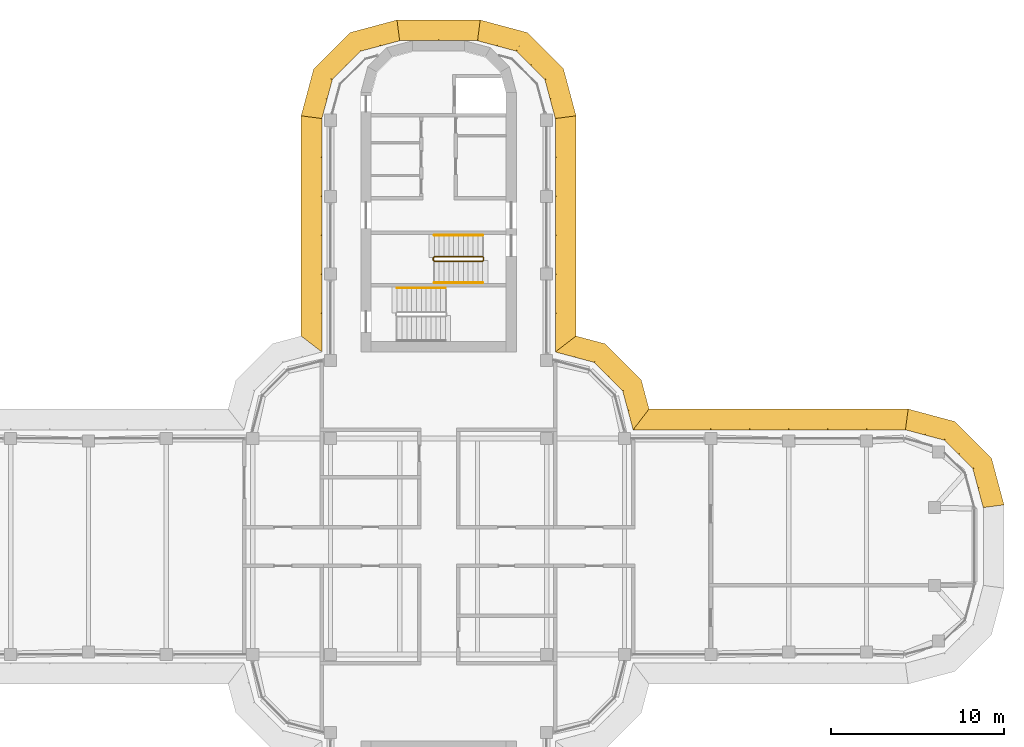
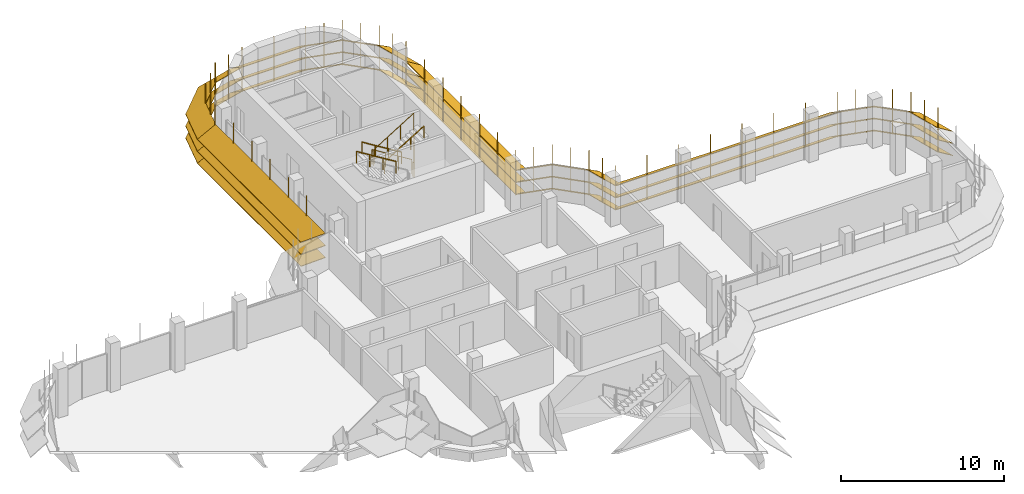
# One storey, part 18 of 19: 8 shading devices, 4 railings.
"""IFC4 building model written with IfcOpenShell, lengths in metres."""

import ifcopenshell
import ifcopenshell.guid

model = None  # the IFC model being written
_history = None  # IfcOwnerHistory: only IFC2X3 demands one
_inside = {}  # id of a spatial element -> (the spatial element, [elements in it])
_under = {}  # id of a project, library or spatial element -> (it, [spatial elements below it])
_declared = {}  # id of a project -> (the project, [libraries it declares])
_typed = {}  # id of a type object -> (the type object, [elements of that type])
_made_of = {}  # id of a material, layer set ... -> (it, [elements and type objects made of it])


def new_model(schema):
    """Start an empty IFC model of exactly this schema.

    Asked for "IFC4X3", IfcOpenShell would pick the latest addendum, in which some entities
    have other attributes; the version numbers below select the first issue.
    IFC2X3 requires an IfcOwnerHistory on every rooted entity: one is made here for all.
    """
    global model, _history
    if schema == "IFC4X3":
        model = ifcopenshell.file(schema_version=(4, 3, 0, 0))
    else:
        model = ifcopenshell.file(schema=schema)
    _inside.clear()
    _under.clear()
    _declared.clear()
    _typed.clear()
    _made_of.clear()
    _history = None
    if model.schema == "IFC2X3":
        org = make("IfcOrganization", Name="unknown")
        user = make(
            "IfcPersonAndOrganization",
            ThePerson=make("IfcPerson", FamilyName="unknown"),
            TheOrganization=org,
        )
        app = make(
            "IfcApplication",
            ApplicationDeveloper=org,
            Version="unknown",
            ApplicationFullName="unknown",
            ApplicationIdentifier="unknown",
        )
        _history = make(
            "IfcOwnerHistory",
            OwningUser=user,
            OwningApplication=app,
            ChangeAction="ADDED",
            CreationDate=0,
        )
    return model


def make(cls, **values):
    """One entity of the class cls with the attributes given. An attribute that is None is left unset."""
    return model.create_entity(
        cls, **{name: value for name, value in values.items() if value is not None}
    )


def rooted(cls, **values):
    """An entity with a GlobalId (a new one), such as an element, a storey or a relation."""
    return make(cls, GlobalId=ifcopenshell.guid.new(), OwnerHistory=_history, **values)


def si_unit(unit_type, name, prefix=None):
    """IfcSIUnit, for example si_unit("LENGTHUNIT", "METRE", prefix="MILLI")."""
    return make("IfcSIUnit", UnitType=unit_type, Prefix=prefix, Name=name)


def assignment(units):
    """IfcUnitAssignment: the units of a project."""
    return None if units is None else make("IfcUnitAssignment", Units=units)


def point(xyz):
    """IfcCartesianPoint."""
    return None if xyz is None else make("IfcCartesianPoint", Coordinates=xyz)


def direction(xyz):
    """IfcDirection."""
    return None if xyz is None else make("IfcDirection", DirectionRatios=xyz)


def frame(location, z_axis=None, x_axis=None):
    """IfcAxis2Placement3D, a coordinate frame: its origin and axes. An axis left out is left unset."""
    return make(
        "IfcAxis2Placement3D",
        Location=point(location),
        Axis=direction(z_axis),
        RefDirection=direction(x_axis),
    )


def frame_2d(location, x_axis=None):
    """IfcAxis2Placement2D, a coordinate frame in the plane: its origin and x axis."""
    return make(
        "IfcAxis2Placement2D", Location=point(location), RefDirection=direction(x_axis)
    )


def origin():
    """The frame at (0, 0, 0) with its axes left unset."""
    return frame((0.0, 0.0, 0.0))


def origin_2d():
    """The frame at (0, 0) in the plane with its x axis left unset."""
    return frame_2d((0.0, 0.0))


def place(relative_to, where):
    """IfcLocalPlacement: puts the frame where relative to a parent placement (None: the world)."""
    return make(
        "IfcLocalPlacement", PlacementRelTo=relative_to, RelativePlacement=where
    )


def context(
    kind, dimensions, precision=None, world=None, true_north=None, identifier=None
):
    """IfcGeometricRepresentationContext, for example the 3D "Model" context."""
    return make(
        "IfcGeometricRepresentationContext",
        ContextIdentifier=identifier,
        ContextType=kind,
        CoordinateSpaceDimension=dimensions,
        Precision=precision,
        WorldCoordinateSystem=world,
        TrueNorth=true_north,
    )


def subcontext(parent, identifier, kind, view, scale=None):
    """IfcGeometricRepresentationSubContext, for example "Body" below "Model"."""
    return make(
        "IfcGeometricRepresentationSubContext",
        ContextIdentifier=identifier,
        ContextType=kind,
        ParentContext=parent,
        TargetScale=scale,
        TargetView=view,
    )


def project(units=None, contexts=None):
    """IfcProject with its units and contexts."""
    return rooted(
        "IfcProject",
        Name="project",
        RepresentationContexts=contexts,
        UnitsInContext=assignment(units),
    )


def spatial(cls, under=None, at=None, **own):
    """A site, building, storey or space (cls), placed at a placement, below another one or the project."""
    s = rooted(cls, ObjectPlacement=at, **own)
    if under is not None:
        _under.setdefault(under.id(), (under, []))[1].append(s)
    return s


def polyline(points):
    """IfcPolyline through the points."""
    return make("IfcPolyline", Points=[point(p) for p in points])


def profile(cls, at=None, kind="AREA", **sizes):
    """A parametric profile (cls). Its sizes go by their IFC names, for example OverallWidth=200.0."""
    return make(cls, ProfileType=kind, Position=at, **sizes)


def circle(**sizes):
    """IfcCircleProfileDef."""
    return profile("IfcCircleProfileDef", **sizes)


def outline(outer, holes=None, kind="AREA"):
    """IfcArbitraryClosedProfileDef: a profile drawn as a closed curve; with holes, ...WithVoids."""
    if holes is None:
        return make("IfcArbitraryClosedProfileDef", ProfileType=kind, OuterCurve=outer)
    return make(
        "IfcArbitraryProfileDefWithVoids",
        ProfileType=kind,
        OuterCurve=outer,
        InnerCurves=holes,
    )


def extrude(swept, where, along, depth):
    """IfcExtrudedAreaSolid: the profile swept, set in the frame where, extruded along a direction by depth."""
    return make(
        "IfcExtrudedAreaSolid",
        SweptArea=swept,
        Position=where,
        ExtrudedDirection=direction(along),
        Depth=depth,
    )


def faces_of(points, faces, orient=None, outer=None):
    """IfcFace entities. A face is a list of loops; a loop is a list of indices into points, from 0.

    orient and outer hold one flag for each loop. By default every Orientation is true, the
    first loop of a face is its IfcFaceOuterBound and the others are IfcFaceBound.
    """
    made = []
    for i, loops in enumerate(faces):
        bounds = []
        for j, loop in enumerate(loops):
            is_outer = j == 0 if outer is None else outer[i][j]
            bounds.append(
                make(
                    "IfcFaceOuterBound" if is_outer else "IfcFaceBound",
                    Bound=make("IfcPolyLoop", Polygon=[points[k] for k in loop]),
                    Orientation=True if orient is None else orient[i][j],
                )
            )
        made.append(make("IfcFace", Bounds=bounds))
    return made


def faceted_brep(points, faces, orient=None, outer=None, voids=None):
    """IfcFacetedBrep: a solid bounded by flat faces; with voids (closed shells), ...WithVoids."""
    shared = [point(p) for p in points]
    hull = make("IfcClosedShell", CfsFaces=faces_of(shared, faces, orient, outer))
    if voids is None:
        return make("IfcFacetedBrep", Outer=hull)
    return make(
        "IfcFacetedBrepWithVoids",
        Outer=hull,
        Voids=[
            make(cls, CfsFaces=faces_of(shared, fs, o, b)) for cls, fs, o, b in voids
        ],
    )


def shape(context_of_items, identifier, shape_type, items):
    """IfcShapeRepresentation: the items that make up one representation, for example the "Body"."""
    return make(
        "IfcShapeRepresentation",
        ContextOfItems=context_of_items,
        RepresentationIdentifier=identifier,
        RepresentationType=shape_type,
        Items=items,
    )


def source(mapping_origin, context_of_items, identifier, shape_type, items):
    """IfcRepresentationMap: a shape defined once, which mapped items show again and again."""
    return make(
        "IfcRepresentationMap",
        MappingOrigin=mapping_origin,
        MappedRepresentation=shape(context_of_items, identifier, shape_type, items),
    )


def transform(
    local_origin,
    x_axis=None,
    y_axis=None,
    z_axis=None,
    scale=None,
    scale2=None,
    scale3=None,
    uniform=True,
):
    """IfcCartesianTransformationOperator3D, or its non-uniform kind. x_axis, y_axis, z_axis: its Axis1, 2, 3."""
    if uniform:
        return make(
            "IfcCartesianTransformationOperator3D",
            Axis1=direction(x_axis),
            Axis2=direction(y_axis),
            LocalOrigin=point(local_origin),
            Scale=scale,
            Axis3=direction(z_axis),
        )
    return make(
        "IfcCartesianTransformationOperator3DnonUniform",
        Axis1=direction(x_axis),
        Axis2=direction(y_axis),
        LocalOrigin=point(local_origin),
        Scale=scale,
        Axis3=direction(z_axis),
        Scale2=scale2,
        Scale3=scale3,
    )


def mapped(mapping_source, mapping_target):
    """IfcMappedItem: shows the shape of a source again, moved by a transform."""
    return make(
        "IfcMappedItem", MappingSource=mapping_source, MappingTarget=mapping_target
    )


def material(Name=None, Category=None):
    """IfcMaterial."""
    return make("IfcMaterial", Name=Name, Category=Category)


def made_of(thing, what):
    """Note that an element or type object is made of a material, layer set ...; save() writes the relation."""
    if what is not None:
        _made_of.setdefault(what.id(), (what, []))[1].append(thing)
    return thing


def type_object(cls, material=None, **own):
    """A type object (cls), such as IfcWallType, which elements share."""
    return made_of(rooted(cls, **own), material)


def element(
    cls,
    number,
    at=None,
    inside=None,
    cuts=None,
    type_object=None,
    material=None,
    context=None,
    identifier="Body",
    shape_type=None,
    held_by="IfcProductDefinitionShape",
    body=None,
    shapes=None,
    **own,
):
    """One element of the class cls, such as IfcWall. Its Tag is "e" and its number.

    at: its placement. inside: the storey or other place that contains it. cuts: it is an
    opening in that element (IfcRelVoidsElement). A single representation is given by context,
    identifier, shape_type and body (its items); several are given by shapes. held_by: the class
    of the entity that holds the representations. save() writes the other relations.
    """
    e = rooted(cls, Tag="e%d" % number, ObjectPlacement=at, **own)
    if body is not None:
        shapes = [shape(context, identifier, shape_type, body)]
    if shapes is not None:
        e.Representation = make(held_by, Representations=shapes)
    if inside is not None:
        _inside.setdefault(inside.id(), (inside, []))[1].append(e)
    if cuts is not None:
        rooted(
            "IfcRelVoidsElement", RelatingBuildingElement=cuts, RelatedOpeningElement=e
        )
    if type_object is not None:
        _typed.setdefault(type_object.id(), (type_object, []))[1].append(e)
    return made_of(e, material)


def aggregate(whole, parts):
    """IfcRelAggregates: a whole, such as a stair, and the parts it consists of."""
    return rooted("IfcRelAggregates", RelatingObject=whole, RelatedObjects=parts)


def save(model, path):
    """Write the relations noted so far, then the file.

    IfcRelAggregates (storeys below a building ...), IfcRelContainedInSpatialStructure (elements
    in a storey), IfcRelDefinesByType, IfcRelAssociatesMaterial and IfcRelDeclares: one each for
    every whole, place, type object, material and project.
    """
    for whole, parts in _under.values():
        aggregate(whole, parts)
    for where, things in _inside.values():
        rooted(
            "IfcRelContainedInSpatialStructure",
            RelatedElements=things,
            RelatingStructure=where,
        )
    for kind, things in _typed.values():
        rooted("IfcRelDefinesByType", RelatedObjects=things, RelatingType=kind)
    for what, things in _made_of.values():
        rooted("IfcRelAssociatesMaterial", RelatedObjects=things, RelatingMaterial=what)
    for by, libraries in _declared.values():
        rooted("IfcRelDeclares", RelatingContext=by, RelatedDefinitions=libraries)
    model.write(path)


model = new_model("IFC4")

# Units and contexts
model_context = context("Model", 3, precision=1e-05, world=origin(), true_north=direction((0.0, 1.0)))
body_context = subcontext(model_context, "Body", "Model", "MODEL_VIEW")
ifc_project = project(units=[si_unit("LENGTHUNIT", "METRE"), si_unit("AREAUNIT", "SQUARE_METRE"), si_unit("VOLUMEUNIT", "CUBIC_METRE"), si_unit("PLANEANGLEUNIT", "RADIAN"), si_unit("MASSUNIT", "GRAM", prefix="KILO")], contexts=[model_context])

# Site, building, storey
site_placement = place(None, origin())
site = spatial("IfcSite", under=ifc_project, at=site_placement, CompositionType="ELEMENT")
building_placement = place(site_placement, origin())
building = spatial("IfcBuilding", under=site, at=building_placement, Name="Zarbagh Exchange Tower", CompositionType="ELEMENT")
storey_placement = place(building_placement, frame((0.0, 0.0, 222.0)))
storey = spatial("IfcBuildingStorey", under=building, at=storey_placement, Name="L54", CompositionType="ELEMENT", Elevation=222.0)

# Railings
ifc_material_1 = material(Name="Stainless steel", Category="steel")
railing_type_1 = type_object("IfcRailingType", Name="Stair guard 1100 mm", PredefinedType="GUARDRAIL", material=ifc_material_1)
railing_1_placement = place(storey_placement, frame((2.550048828125, 16.75, 0.172607421875)))
element("IfcRailing", 1, at=railing_1_placement, inside=storey, type_object=railing_type_1, Name="ST1 stair guard 1", PredefinedType="GUARDRAIL", context=body_context, shape_type="SweptSolid", body=[
    extrude(circle(Radius=0.02392578125, at=origin_2d()), frame((0.0, 0.0, 1.076171875), z_axis=(-0.851089632645, 0.0, 0.525020415988), x_axis=(0.0, -1.0, 0.0)), (0.0, 0.0, 1.0), 3.2900390625),
    extrude(circle(Radius=0.02392578125, at=origin_2d()), frame((-2.800048828125, 0.0, 2.80322265625), z_axis=(-0.707106781187, -0.707106781187, 0.0), x_axis=(0.707106781187, -0.707106781187, 0.0)), (0.0, 0.0, 1.0), 0.07080078125),
    extrude(circle(Radius=0.02392578125, at=origin_2d()), frame((-2.85009765625, -0.050048828125, 2.80322265625), z_axis=(0.0, -1.0, 0.0), x_axis=(1.0, 0.0, 0.0)), (0.0, 0.0, 1.0), 0.14990234375),
    extrude(circle(Radius=0.02392578125, at=origin_2d()), frame((-2.85009765625, -0.199951171875, 2.80322265625), z_axis=(0.267953482034, -0.267953482034, 0.925419830635), x_axis=(0.707106781187, 0.707106781187, 0.0)), (0.0, 0.0, 1.0), 0.186767578125),
    extrude(circle(Radius=0.02392578125, at=origin_2d()), frame((-2.800048828125, -0.25, 2.97607421875), z_axis=(0.851089632645, 0.0, 0.525020415988), x_axis=(0.0, 1.0, 0.0)), (0.0, 0.0, 1.0), 3.2900390625),
    extrude(circle(Radius=0.02392578125, at=origin_2d()), frame((0.0, -0.25, 4.70361328125), z_axis=(0.013168290981, 0.013168290981, -0.999826581076), x_axis=(-0.707106781187, 0.707106781187, 0.0)), (0.0, 0.0, 1.0), 3.80078125),
    extrude(circle(Radius=0.02392578125, at=origin_2d()), frame((0.050048828125, -0.199951171875, 0.9033203125), z_axis=(0.0, 1.0, 0.0), x_axis=(-1.0, 0.0, 0.0)), (0.0, 0.0, 1.0), 0.14990234375),
    extrude(circle(Radius=0.02099609375, at=origin_2d()), origin(), (0.0, 0.0, 1.0), 1.052001953125),
    extrude(circle(Radius=0.02099609375, at=origin_2d()), frame((-0.933349609375, 0.0, 0.57568359375)), (0.0, 0.0, 1.0), 1.052001953125),
    extrude(circle(Radius=0.02099609375, at=origin_2d()), frame((-1.86669921875, 0.0, 1.151611328125)), (0.0, 0.0, 1.0), 1.052001953125),
    extrude(circle(Radius=0.02099609375, at=origin_2d()), frame((-2.800048828125, 0.0, 1.727294921875)), (0.0, 0.0, 1.0), 1.052001953125),
    extrude(circle(Radius=0.02099609375, at=origin_2d()), frame((-2.85009765625, -0.050048828125, 1.727294921875)), (0.0, 0.0, 1.0), 1.052001953125),
    extrude(circle(Radius=0.02099609375, at=origin_2d()), frame((-2.85009765625, -0.199951171875, 1.727294921875)), (0.0, 0.0, 1.0), 1.052001953125),
    extrude(circle(Radius=0.02099609375, at=origin_2d()), frame((-2.800048828125, -0.25, 1.900146484375)), (0.0, 0.0, 1.0), 1.052001953125),
    extrude(circle(Radius=0.02099609375, at=origin_2d()), frame((-1.86669921875, -0.25, 2.475830078125)), (0.0, 0.0, 1.0), 1.052001953125),
    extrude(circle(Radius=0.02099609375, at=origin_2d()), frame((-0.933349609375, -0.25, 3.0517578125)), (0.0, 0.0, 1.0), 1.052001953125),
    extrude(circle(Radius=0.02099609375, at=origin_2d()), frame((0.0, -0.25, 3.62744140625)), (0.0, 0.0, 1.0), 1.052001953125),
    extrude(circle(Radius=0.02099609375, at=origin_2d()), frame((0.012451171875, -0.237548828125, 2.677490234375)), (0.0, 0.0, 1.0), 1.052001953125),
    extrude(circle(Radius=0.02099609375, at=origin_2d()), frame((0.02490234375, -0.22509765625, 1.7275390625)), (0.0, 0.0, 1.0), 1.052001953125),
    extrude(circle(Radius=0.02099609375, at=origin_2d()), frame((0.03759765625, -0.21240234375, 0.77734375)), (0.0, 0.0, 1.0), 1.052001953125),
    extrude(circle(Radius=0.02099609375, at=origin_2d()), frame((0.050048828125, -0.199951171875, -0.172607421875)), (0.0, 0.0, 1.0), 1.052001953125),
    extrude(circle(Radius=0.02099609375, at=origin_2d()), frame((0.050048828125, -0.050048828125, -0.172607421875)), (0.0, 0.0, 1.0), 1.052001953125),
])
railing_type_2 = type_object("IfcRailingType", Name="Stair handrail 900 mm", PredefinedType="HANDRAIL", material=ifc_material_1)
railing_2_placement = place(storey_placement, frame((2.550048828125, 18.0, 0.172607421875)))
element("IfcRailing", 2, at=railing_2_placement, inside=storey, type_object=railing_type_2, Name="ST1 stair handrail 1", PredefinedType="HANDRAIL", context=body_context, shape_type="SweptSolid", body=[
    extrude(circle(Radius=0.02392578125, at=origin_2d()), frame((0.0, 0.0, 0.8759765625), z_axis=(-0.851089632645, 0.0, 0.525020415988), x_axis=(0.0, -1.0, 0.0)), (0.0, 0.0, 1.0), 3.2900390625),
    extrude(circle(Radius=0.02099609375, at=origin_2d()), origin(), (0.0, 0.0, 1.0), 0.851806640625),
    extrude(circle(Radius=0.02099609375, at=origin_2d()), frame((-0.933349609375, 0.0, 0.57568359375)), (0.0, 0.0, 1.0), 0.851806640625),
    extrude(circle(Radius=0.02099609375, at=origin_2d()), frame((-1.86669921875, 0.0, 1.151611328125)), (0.0, 0.0, 1.0), 0.851806640625),
    extrude(circle(Radius=0.02099609375, at=origin_2d()), frame((-2.800048828125, 0.0, 1.727294921875)), (0.0, 0.0, 1.0), 0.851806640625),
])
railing_3_placement = place(storey_placement, frame((-0.25, 15.25, 2.07275390625)))
element("IfcRailing", 3, at=railing_3_placement, inside=storey, type_object=railing_type_2, Name="ST1 stair handrail 2", PredefinedType="HANDRAIL", context=body_context, shape_type="SweptSolid", body=[
    extrude(circle(Radius=0.02392578125, at=origin_2d()), frame((0.0, 0.0, 0.8759765625), z_axis=(0.851089632645, 0.0, 0.525020415988), x_axis=(0.0, 1.0, 0.0)), (0.0, 0.0, 1.0), 3.2900390625),
    extrude(circle(Radius=0.02099609375, at=origin_2d()), origin(), (0.0, 0.0, 1.0), 0.851806640625),
    extrude(circle(Radius=0.02099609375, at=origin_2d()), frame((0.933349609375, 0.0, 0.57568359375)), (0.0, 0.0, 1.0), 0.851806640625),
    extrude(circle(Radius=0.02099609375, at=origin_2d()), frame((1.86669921875, 0.0, 1.151611328125)), (0.0, 0.0, 1.0), 0.851806640625),
    extrude(circle(Radius=0.02099609375, at=origin_2d()), frame((2.800048828125, 0.0, 1.727294921875)), (0.0, 0.0, 1.0), 0.851806640625),
])
railing_4_placement = place(storey_placement, frame((0.39990234375, 14.949951171875, 2.07275390625)))
element("IfcRailing", 4, at=railing_4_placement, inside=storey, type_object=railing_type_2, Name="ST2 stair handrail 2", PredefinedType="HANDRAIL", context=body_context, shape_type="SweptSolid", body=[
    extrude(circle(Radius=0.02392578125, at=origin_2d()), frame((0.0, 0.0, 0.8759765625), z_axis=(-0.851069175582, 0.0, 0.525053576669), x_axis=(0.0, -1.0, 0.0)), (0.0, 0.0, 1.0), 3.289794921875),
    extrude(circle(Radius=0.02099609375, at=origin_2d()), origin(), (0.0, 0.0, 1.0), 0.851806640625),
    extrude(circle(Radius=0.02099609375, at=origin_2d()), frame((-0.933349609375, 0.0, 0.57568359375)), (0.0, 0.0, 1.0), 0.851806640625),
    extrude(circle(Radius=0.02099609375, at=origin_2d()), frame((-1.866455078125, 0.0, 1.151611328125)), (0.0, 0.0, 1.0), 0.851806640625),
    extrude(circle(Radius=0.02099609375, at=origin_2d()), frame((-2.7998046875, 0.0, 1.727294921875)), (0.0, 0.0, 1.0), 0.851806640625),
])

# Shading devices
ifc_material_2 = material(Name="Anodised aluminium blades and brackets", Category="aluminium")
shading_device_type = type_object("IfcShadingDeviceType", Name="SUNSHADE louvre band, 33.75 degree blades", PredefinedType="JALOUSIE", material=ifc_material_2)
shared_shape_1 = source(origin(), body_context, "Body", "Brep", [
    faceted_brep([(0.0, 0.0, 0.0), (0.0, 0.0, -0.048095703125), (-0.157958984375, -1.199951171875, -0.849853515625), (-0.157958984375, -1.199951171875, -0.8017578125), (2.65087890625, -1.199951171875, -0.8017578125), (2.65087890625, -1.199951171875, -0.849853515625), (2.329345703125, 0.0, -0.048095703125), (2.329345703125, 0.0, 0.0)], [[[0, 1, 2, 3]], [[4, 5, 6, 7]], [[0, 7, 6, 1]], [[1, 6, 5, 2]], [[2, 5, 4, 3]], [[3, 4, 7, 0]]]),
])
shared_shape_2 = source(origin(), body_context, "Body", "Brep", [
    faceted_brep([(0.0, 0.0, 0.0), (0.0, 0.0, -0.048095703125), (-0.321533203125, -1.199951171875, -0.849853515625), (-0.321533203125, -1.199951171875, -0.8017578125), (2.65087890625, -1.199951171875, -0.8017578125), (2.65087890625, -1.199951171875, -0.849853515625), (2.329345703125, 0.0, -0.048095703125), (2.329345703125, 0.0, 0.0)], [[[0, 1, 2, 3]], [[4, 5, 6, 7]], [[0, 7, 6, 1]], [[1, 6, 5, 2]], [[2, 5, 4, 3]], [[3, 4, 7, 0]]]),
])
shared_shape_3 = source(origin(), body_context, "Body", "Brep", [
    faceted_brep([(0.0, 0.0, 0.0), (0.0, 0.0, -0.048095703125), (-0.321533203125, -1.199951171875, -0.849853515625), (-0.321533203125, -1.199951171875, -0.8017578125), (2.4873046875, -1.199951171875, -0.8017578125), (2.4873046875, -1.199951171875, -0.849853515625), (2.329345703125, 0.0, -0.048095703125), (2.329345703125, 0.0, 0.0)], [[[0, 1, 2, 3]], [[4, 5, 6, 7]], [[0, 7, 6, 1]], [[1, 6, 5, 2]], [[2, 5, 4, 3]], [[3, 4, 7, 0]]]),
])
shared_shape_4 = source(origin(), body_context, "Body", "SweptSolid", [
    extrude(outline(polyline([(0.0, -0.012451171875), (0.06005859375, -0.012451171875), (0.06005859375, 0.012451171875), (0.0, 0.012451171875), (0.0, -0.012451171875)])), origin(), (0.0, 0.0, 1.0), 3.358154296875),
])
placement = place(storey_placement, origin())
element("IfcShadingDevice", 5, at=placement, inside=storey, type_object=shading_device_type, Name="SS33 sunshade band", PredefinedType="JALOUSIE", context=body_context, shape_type="MappedRepresentation", body=[
    mapped(shared_shape_1, transform((31.5, 2.25, 2.300048828125), x_axis=(-0.258824779902, 0.965924289636, 0.0), y_axis=(-0.965924289636, -0.258824779902, 0.0), z_axis=(0.0, 0.0, 1.0))),
    mapped(shared_shape_1, transform((31.5, 2.25, 1.39990234375), x_axis=(-0.258824779902, 0.965924289636, 0.0), y_axis=(-0.965924289636, -0.258824779902, 0.0), z_axis=(0.0, 0.0, 1.0))),
    mapped(shared_shape_1, transform((31.5, 2.25, 0.5), x_axis=(-0.258824779902, 0.965924289636, 0.0), y_axis=(-0.965924289636, -0.258824779902, 0.0), z_axis=(0.0, 0.0, 1.0))),
    mapped(shared_shape_2, transform((30.897216796875, 4.5, 2.300048828125), x_axis=(-0.707106781187, 0.707106781187, 0.0), y_axis=(-0.707106781187, -0.707106781187, 0.0), z_axis=(0.0, 0.0, 1.0))),
    mapped(shared_shape_2, transform((30.897216796875, 4.5, 1.39990234375), x_axis=(-0.707106781187, 0.707106781187, 0.0), y_axis=(-0.707106781187, -0.707106781187, 0.0), z_axis=(0.0, 0.0, 1.0))),
    mapped(shared_shape_2, transform((30.897216796875, 4.5, 0.5), x_axis=(-0.707106781187, 0.707106781187, 0.0), y_axis=(-0.707106781187, -0.707106781187, 0.0), z_axis=(0.0, 0.0, 1.0))),
    mapped(shared_shape_3, transform((29.25, 6.147216796875, 2.300048828125), x_axis=(-0.965924289636, 0.258824779902, 0.0), y_axis=(-0.258824779902, -0.965924289636, 0.0), z_axis=(0.0, 0.0, 1.0))),
    mapped(shared_shape_3, transform((29.25, 6.147216796875, 1.39990234375), x_axis=(-0.965924289636, 0.258824779902, 0.0), y_axis=(-0.258824779902, -0.965924289636, 0.0), z_axis=(0.0, 0.0, 1.0))),
    mapped(shared_shape_3, transform((29.25, 6.147216796875, 0.5), x_axis=(-0.965924289636, 0.258824779902, 0.0), y_axis=(-0.258824779902, -0.965924289636, 0.0), z_axis=(0.0, 0.0, 1.0))),
    mapped(shared_shape_4, transform((31.5, 2.25, 0.421875), x_axis=(0.991444457092, 0.130529263012, 0.0), y_axis=(-0.130529263012, 0.991444457092, 0.0), z_axis=(0.0, 0.0, 1.0))),
    mapped(shared_shape_4, transform((31.198486328125, 3.375, 0.421875), x_axis=(0.96592421511, 0.258825058029, 0.0), y_axis=(-0.258825058029, 0.96592421511, 0.0), z_axis=(0.0, 0.0, 1.0))),
    mapped(shared_shape_4, transform((30.897216796875, 4.5, 0.421875), x_axis=(0.866023812018, 0.50000275701, 0.0), y_axis=(-0.50000275701, 0.866023812018, 0.0), z_axis=(0.0, 0.0, 1.0))),
    mapped(shared_shape_4, transform((30.073486328125, 5.323486328125, 0.421875), x_axis=(0.707106781187, 0.707106781187, 0.0), y_axis=(-0.707106781187, 0.707106781187, 0.0), z_axis=(0.0, 0.0, 1.0))),
    mapped(shared_shape_4, transform((29.25, 6.147216796875, 0.421875), x_axis=(0.50000275701, 0.866023812018, 0.0), y_axis=(-0.866023812018, 0.50000275701, 0.0), z_axis=(0.0, 0.0, 1.0))),
    mapped(shared_shape_4, transform((28.125, 6.448486328125, 0.421875), x_axis=(0.258825058029, 0.96592421511, 0.0), y_axis=(-0.96592421511, 0.258825058029, 0.0), z_axis=(0.0, 0.0, 1.0))),
])
element("IfcShadingDevice", 6, at=placement, inside=storey, type_object=shading_device_type, Name="SS46 sunshade band", PredefinedType="JALOUSIE", context=body_context, shape_type="MappedRepresentation", body=[
    mapped(shared_shape_1, transform((6.75, 24.75, 2.300048828125), x_axis=(-0.258824779902, 0.965924289636, 0.0), y_axis=(-0.965924289636, -0.258824779902, 0.0), z_axis=(0.0, 0.0, 1.0))),
    mapped(shared_shape_1, transform((6.75, 24.75, 1.39990234375), x_axis=(-0.258824779902, 0.965924289636, 0.0), y_axis=(-0.965924289636, -0.258824779902, 0.0), z_axis=(0.0, 0.0, 1.0))),
    mapped(shared_shape_1, transform((6.75, 24.75, 0.5), x_axis=(-0.258824779902, 0.965924289636, 0.0), y_axis=(-0.965924289636, -0.258824779902, 0.0), z_axis=(0.0, 0.0, 1.0))),
    mapped(shared_shape_2, transform((6.147216796875, 27.0, 2.300048828125), x_axis=(-0.707106781187, 0.707106781187, 0.0), y_axis=(-0.707106781187, -0.707106781187, 0.0), z_axis=(0.0, 0.0, 1.0))),
    mapped(shared_shape_2, transform((6.147216796875, 27.0, 1.39990234375), x_axis=(-0.707106781187, 0.707106781187, 0.0), y_axis=(-0.707106781187, -0.707106781187, 0.0), z_axis=(0.0, 0.0, 1.0))),
    mapped(shared_shape_2, transform((6.147216796875, 27.0, 0.5), x_axis=(-0.707106781187, 0.707106781187, 0.0), y_axis=(-0.707106781187, -0.707106781187, 0.0), z_axis=(0.0, 0.0, 1.0))),
    mapped(shared_shape_3, transform((4.5, 28.647216796875, 2.300048828125), x_axis=(-0.965924289636, 0.258824779902, 0.0), y_axis=(-0.258824779902, -0.965924289636, 0.0), z_axis=(0.0, 0.0, 1.0))),
    mapped(shared_shape_3, transform((4.5, 28.647216796875, 1.39990234375), x_axis=(-0.965924289636, 0.258824779902, 0.0), y_axis=(-0.258824779902, -0.965924289636, 0.0), z_axis=(0.0, 0.0, 1.0))),
    mapped(shared_shape_3, transform((4.5, 28.647216796875, 0.5), x_axis=(-0.965924289636, 0.258824779902, 0.0), y_axis=(-0.258824779902, -0.965924289636, 0.0), z_axis=(0.0, 0.0, 1.0))),
    mapped(shared_shape_4, transform((6.75, 24.75, 0.421875), x_axis=(0.991444457092, 0.130529263012, 0.0), y_axis=(-0.130529263012, 0.991444457092, 0.0), z_axis=(0.0, 0.0, 1.0))),
    mapped(shared_shape_4, transform((6.448486328125, 25.875, 0.421875), x_axis=(0.96592421511, 0.258825058029, 0.0), y_axis=(-0.258825058029, 0.96592421511, 0.0), z_axis=(0.0, 0.0, 1.0))),
    mapped(shared_shape_4, transform((6.147216796875, 27.0, 0.421875), x_axis=(0.866023812018, 0.50000275701, 0.0), y_axis=(-0.50000275701, 0.866023812018, 0.0), z_axis=(0.0, 0.0, 1.0))),
    mapped(shared_shape_4, transform((5.323486328125, 27.823486328125, 0.421875), x_axis=(0.707106781187, 0.707106781187, 0.0), y_axis=(-0.707106781187, 0.707106781187, 0.0), z_axis=(0.0, 0.0, 1.0))),
    mapped(shared_shape_4, transform((4.5, 28.647216796875, 0.421875), x_axis=(0.50000275701, 0.866023812018, 0.0), y_axis=(-0.866023812018, 0.50000275701, 0.0), z_axis=(0.0, 0.0, 1.0))),
    mapped(shared_shape_4, transform((3.375, 28.948486328125, 0.421875), x_axis=(0.258825058029, 0.96592421511, 0.0), y_axis=(-0.96592421511, 0.258825058029, 0.0), z_axis=(0.0, 0.0, 1.0))),
])
element("IfcShadingDevice", 7, at=placement, inside=storey, type_object=shading_device_type, Name="SS48 sunshade band", PredefinedType="JALOUSIE", context=body_context, shape_type="MappedRepresentation", body=[
    mapped(shared_shape_1, transform((-2.25, 29.25, 2.300048828125), x_axis=(-0.965924289636, -0.258824779902, 0.0), y_axis=(0.258824779902, -0.965924289636, 0.0), z_axis=(0.0, 0.0, 1.0))),
    mapped(shared_shape_1, transform((-2.25, 29.25, 1.39990234375), x_axis=(-0.965924289636, -0.258824779902, 0.0), y_axis=(0.258824779902, -0.965924289636, 0.0), z_axis=(0.0, 0.0, 1.0))),
    mapped(shared_shape_1, transform((-2.25, 29.25, 0.5), x_axis=(-0.965924289636, -0.258824779902, 0.0), y_axis=(0.258824779902, -0.965924289636, 0.0), z_axis=(0.0, 0.0, 1.0))),
    mapped(shared_shape_2, transform((-4.5, 28.647216796875, 2.300048828125), x_axis=(-0.707106781187, -0.707106781187, 0.0), y_axis=(0.707106781187, -0.707106781187, 0.0), z_axis=(0.0, 0.0, 1.0))),
    mapped(shared_shape_2, transform((-4.5, 28.647216796875, 1.39990234375), x_axis=(-0.707106781187, -0.707106781187, 0.0), y_axis=(0.707106781187, -0.707106781187, 0.0), z_axis=(0.0, 0.0, 1.0))),
    mapped(shared_shape_2, transform((-4.5, 28.647216796875, 0.5), x_axis=(-0.707106781187, -0.707106781187, 0.0), y_axis=(0.707106781187, -0.707106781187, 0.0), z_axis=(0.0, 0.0, 1.0))),
    mapped(shared_shape_3, transform((-6.147216796875, 27.0, 2.300048828125), x_axis=(-0.258824779902, -0.965924289636, 0.0), y_axis=(0.965924289636, -0.258824779902, 0.0), z_axis=(0.0, 0.0, 1.0))),
    mapped(shared_shape_3, transform((-6.147216796875, 27.0, 1.39990234375), x_axis=(-0.258824779902, -0.965924289636, 0.0), y_axis=(0.965924289636, -0.258824779902, 0.0), z_axis=(0.0, 0.0, 1.0))),
    mapped(shared_shape_3, transform((-6.147216796875, 27.0, 0.5), x_axis=(-0.258824779902, -0.965924289636, 0.0), y_axis=(0.965924289636, -0.258824779902, 0.0), z_axis=(0.0, 0.0, 1.0))),
    mapped(shared_shape_4, transform((-2.25, 29.25, 0.421875), x_axis=(-0.130529263012, 0.991444457092, 0.0), y_axis=(-0.991444457092, -0.130529263012, 0.0), z_axis=(0.0, 0.0, 1.0))),
    mapped(shared_shape_4, transform((-3.375, 28.948486328125, 0.421875), x_axis=(-0.258825058029, 0.96592421511, 0.0), y_axis=(-0.96592421511, -0.258825058029, 0.0), z_axis=(0.0, 0.0, 1.0))),
    mapped(shared_shape_4, transform((-4.5, 28.647216796875, 0.421875), x_axis=(-0.50000275701, 0.866023812018, 0.0), y_axis=(-0.866023812018, -0.50000275701, 0.0), z_axis=(0.0, 0.0, 1.0))),
    mapped(shared_shape_4, transform((-5.323486328125, 27.823486328125, 0.421875), x_axis=(-0.707106781187, 0.707106781187, 0.0), y_axis=(-0.707106781187, -0.707106781187, 0.0), z_axis=(0.0, 0.0, 1.0))),
    mapped(shared_shape_4, transform((-6.147216796875, 27.0, 0.421875), x_axis=(-0.866023812018, 0.50000275701, 0.0), y_axis=(-0.50000275701, -0.866023812018, 0.0), z_axis=(0.0, 0.0, 1.0))),
    mapped(shared_shape_4, transform((-6.448486328125, 25.875, 0.421875), x_axis=(-0.96592421511, 0.258825058029, 0.0), y_axis=(-0.258825058029, -0.96592421511, 0.0), z_axis=(0.0, 0.0, 1.0))),
])
shared_shape_5 = source(origin(), body_context, "Body", "Brep", [
    faceted_brep([(0.0, 0.0, 0.0), (0.0, 0.0, -0.048095703125), (0.9208984375, -1.199951171875, -0.849853515625), (0.9208984375, -1.199951171875, -0.8017578125), (2.65087890625, -1.199951171875, -0.8017578125), (2.65087890625, -1.199951171875, -0.849853515625), (2.329345703125, 0.0, -0.048095703125), (2.329345703125, 0.0, 0.0)], [[[0, 1, 2, 3]], [[4, 5, 6, 7]], [[0, 7, 6, 1]], [[1, 6, 5, 2]], [[2, 5, 4, 3]], [[3, 4, 7, 0]]]),
])
shared_shape_6 = source(origin(), body_context, "Body", "Brep", [
    faceted_brep([(0.0, 0.0, 0.0), (0.0, 0.0, -0.048095703125), (-0.321533203125, -1.199951171875, -0.849853515625), (-0.321533203125, -1.199951171875, -0.8017578125), (1.40869140625, -1.199951171875, -0.8017578125), (1.40869140625, -1.199951171875, -0.849853515625), (2.329345703125, 0.0, -0.048095703125), (2.329345703125, 0.0, 0.0)], [[[0, 1, 2, 3]], [[4, 5, 6, 7]], [[0, 7, 6, 1]], [[1, 6, 5, 2]], [[2, 5, 4, 3]], [[3, 4, 7, 0]]]),
])
element("IfcShadingDevice", 8, at=placement, inside=storey, type_object=shading_device_type, Name="SS09 sunshade band", PredefinedType="JALOUSIE", context=body_context, shape_type="MappedRepresentation", body=[
    mapped(shared_shape_5, transform((11.25, 6.75, 2.300048828125), x_axis=(-0.258824779902, 0.965924289636, 0.0), y_axis=(-0.965924289636, -0.258824779902, 0.0), z_axis=(0.0, 0.0, 1.0))),
    mapped(shared_shape_5, transform((11.25, 6.75, 1.39990234375), x_axis=(-0.258824779902, 0.965924289636, 0.0), y_axis=(-0.965924289636, -0.258824779902, 0.0), z_axis=(0.0, 0.0, 1.0))),
    mapped(shared_shape_5, transform((11.25, 6.75, 0.5), x_axis=(-0.258824779902, 0.965924289636, 0.0), y_axis=(-0.965924289636, -0.258824779902, 0.0), z_axis=(0.0, 0.0, 1.0))),
    mapped(shared_shape_2, transform((10.647216796875, 9.0, 2.300048828125), x_axis=(-0.707106781187, 0.707106781187, 0.0), y_axis=(-0.707106781187, -0.707106781187, 0.0), z_axis=(0.0, 0.0, 1.0))),
    mapped(shared_shape_2, transform((10.647216796875, 9.0, 1.39990234375), x_axis=(-0.707106781187, 0.707106781187, 0.0), y_axis=(-0.707106781187, -0.707106781187, 0.0), z_axis=(0.0, 0.0, 1.0))),
    mapped(shared_shape_2, transform((10.647216796875, 9.0, 0.5), x_axis=(-0.707106781187, 0.707106781187, 0.0), y_axis=(-0.707106781187, -0.707106781187, 0.0), z_axis=(0.0, 0.0, 1.0))),
    mapped(shared_shape_6, transform((9.0, 10.647216796875, 2.300048828125), x_axis=(-0.965924289636, 0.258824779902, 0.0), y_axis=(-0.258824779902, -0.965924289636, 0.0), z_axis=(0.0, 0.0, 1.0))),
    mapped(shared_shape_6, transform((9.0, 10.647216796875, 1.39990234375), x_axis=(-0.965924289636, 0.258824779902, 0.0), y_axis=(-0.258824779902, -0.965924289636, 0.0), z_axis=(0.0, 0.0, 1.0))),
    mapped(shared_shape_6, transform((9.0, 10.647216796875, 0.5), x_axis=(-0.965924289636, 0.258824779902, 0.0), y_axis=(-0.258824779902, -0.965924289636, 0.0), z_axis=(0.0, 0.0, 1.0))),
    mapped(shared_shape_4, transform((11.25, 6.75, 0.421875), x_axis=(0.608758892, 0.793355287, 0.0), y_axis=(-0.793355287, 0.608758892, 0.0), z_axis=(0.0, 0.0, 1.0))),
    mapped(shared_shape_4, transform((10.948486328125, 7.875, 0.421875), x_axis=(0.96592421511, 0.258825058029, 0.0), y_axis=(-0.258825058029, 0.96592421511, 0.0), z_axis=(0.0, 0.0, 1.0))),
    mapped(shared_shape_4, transform((10.647216796875, 9.0, 0.421875), x_axis=(0.866023812018, 0.50000275701, 0.0), y_axis=(-0.50000275701, 0.866023812018, 0.0), z_axis=(0.0, 0.0, 1.0))),
    mapped(shared_shape_4, transform((9.823486328125, 9.823486328125, 0.421875), x_axis=(0.707106781187, 0.707106781187, 0.0), y_axis=(-0.707106781187, 0.707106781187, 0.0), z_axis=(0.0, 0.0, 1.0))),
    mapped(shared_shape_4, transform((9.0, 10.647216796875, 0.421875), x_axis=(0.50000275701, 0.866023812018, 0.0), y_axis=(-0.866023812018, 0.50000275701, 0.0), z_axis=(0.0, 0.0, 1.0))),
    mapped(shared_shape_4, transform((7.875, 10.948486328125, 0.421875), x_axis=(0.258825058029, 0.96592421511, 0.0), y_axis=(-0.96592421511, 0.258825058029, 0.0), z_axis=(0.0, 0.0, 1.0))),
])
shared_shape_7 = source(origin(), body_context, "Body", "Brep", [
    faceted_brep([(0.0, 0.0, 0.0), (0.0, 0.0, -0.048095703125), (-0.157958984375, -1.199951171875, -0.849853515625), (-0.157958984375, -1.199951171875, -0.8017578125), (14.8291015625, -1.199951171875, -0.8017578125), (14.8291015625, -1.199951171875, -0.849853515625), (15.75, 0.0, -0.048095703125), (15.75, 0.0, 0.0)], [[[0, 1, 2, 3]], [[4, 5, 6, 7]], [[0, 7, 6, 1]], [[1, 6, 5, 2]], [[2, 5, 4, 3]], [[3, 4, 7, 0]]]),
])
element("IfcShadingDevice", 9, at=placement, inside=storey, type_object=shading_device_type, Name="SS34 sunshade band", PredefinedType="JALOUSIE", context=body_context, shape_type="MappedRepresentation", body=[
    mapped(shared_shape_7, transform((27.0, 6.75, 2.300048828125), x_axis=(-1.0, 0.0, 0.0), y_axis=(0.0, -1.0, 0.0), z_axis=(0.0, 0.0, 1.0))),
    mapped(shared_shape_7, transform((27.0, 6.75, 1.39990234375), x_axis=(-1.0, 0.0, 0.0), y_axis=(0.0, -1.0, 0.0), z_axis=(0.0, 0.0, 1.0))),
    mapped(shared_shape_7, transform((27.0, 6.75, 0.5), x_axis=(-1.0, 0.0, 0.0), y_axis=(0.0, -1.0, 0.0), z_axis=(0.0, 0.0, 1.0))),
    mapped(shared_shape_4, transform((27.0, 6.75, 0.421875), x_axis=(0.130529263012, 0.991444457092, 0.0), y_axis=(-0.991444457092, 0.130529263012, 0.0), z_axis=(0.0, 0.0, 1.0))),
    mapped(shared_shape_4, transform((24.75, 6.75, 0.421875), x_axis=(0.0, 1.0, 0.0), y_axis=(-1.0, 0.0, 0.0), z_axis=(0.0, 0.0, 1.0))),
    mapped(shared_shape_4, transform((22.5, 6.75, 0.421875), x_axis=(0.0, 1.0, 0.0), y_axis=(-1.0, 0.0, 0.0), z_axis=(0.0, 0.0, 1.0))),
    mapped(shared_shape_4, transform((20.25, 6.75, 0.421875), x_axis=(0.0, 1.0, 0.0), y_axis=(-1.0, 0.0, 0.0), z_axis=(0.0, 0.0, 1.0))),
    mapped(shared_shape_4, transform((18.0, 6.75, 0.421875), x_axis=(0.0, 1.0, 0.0), y_axis=(-1.0, 0.0, 0.0), z_axis=(0.0, 0.0, 1.0))),
    mapped(shared_shape_4, transform((15.75, 6.75, 0.421875), x_axis=(0.0, 1.0, 0.0), y_axis=(-1.0, 0.0, 0.0), z_axis=(0.0, 0.0, 1.0))),
    mapped(shared_shape_4, transform((13.5, 6.75, 0.421875), x_axis=(0.0, 1.0, 0.0), y_axis=(-1.0, 0.0, 0.0), z_axis=(0.0, 0.0, 1.0))),
])
shared_shape_8 = source(origin(), body_context, "Body", "Brep", [
    faceted_brep([(0.0, 0.0, 0.0), (0.0, 0.0, -0.048095703125), (0.9208984375, -1.199951171875, -0.849853515625), (0.9208984375, -1.199951171875, -0.8017578125), (13.657958984375, -1.199951171875, -0.8017578125), (13.657958984375, -1.199951171875, -0.849853515625), (13.5, 0.0, -0.048095703125), (13.5, 0.0, 0.0)], [[[0, 1, 2, 3]], [[4, 5, 6, 7]], [[0, 7, 6, 1]], [[1, 6, 5, 2]], [[2, 5, 4, 3]], [[3, 4, 7, 0]]]),
])
element("IfcShadingDevice", 10, at=placement, inside=storey, type_object=shading_device_type, Name="SS45 sunshade band", PredefinedType="JALOUSIE", context=body_context, shape_type="MappedRepresentation", body=[
    mapped(shared_shape_8, transform((6.75, 11.25, 2.300048828125), x_axis=(0.0, 1.0, 0.0), y_axis=(-1.0, 0.0, 0.0), z_axis=(0.0, 0.0, 1.0))),
    mapped(shared_shape_8, transform((6.75, 11.25, 1.39990234375), x_axis=(0.0, 1.0, 0.0), y_axis=(-1.0, 0.0, 0.0), z_axis=(0.0, 0.0, 1.0))),
    mapped(shared_shape_8, transform((6.75, 11.25, 0.5), x_axis=(0.0, 1.0, 0.0), y_axis=(-1.0, 0.0, 0.0), z_axis=(0.0, 0.0, 1.0))),
    mapped(shared_shape_4, transform((6.75, 11.25, 0.421875), x_axis=(0.793355287, 0.608758892, 0.0), y_axis=(-0.608758892, 0.793355287, 0.0), z_axis=(0.0, 0.0, 1.0))),
    mapped(shared_shape_4, transform((6.75, 13.5, 0.421875), x_axis=(1.0, 0.0, 0.0), y_axis=(0.0, 1.0, 0.0), z_axis=(0.0, 0.0, 1.0))),
    mapped(shared_shape_4, transform((6.75, 15.75, 0.421875), x_axis=(1.0, 0.0, 0.0), y_axis=(0.0, 1.0, 0.0), z_axis=(0.0, 0.0, 1.0))),
    mapped(shared_shape_4, transform((6.75, 18.0, 0.421875), x_axis=(1.0, 0.0, 0.0), y_axis=(0.0, 1.0, 0.0), z_axis=(0.0, 0.0, 1.0))),
    mapped(shared_shape_4, transform((6.75, 20.25, 0.421875), x_axis=(1.0, 0.0, 0.0), y_axis=(0.0, 1.0, 0.0), z_axis=(0.0, 0.0, 1.0))),
    mapped(shared_shape_4, transform((6.75, 22.5, 0.421875), x_axis=(1.0, 0.0, 0.0), y_axis=(0.0, 1.0, 0.0), z_axis=(0.0, 0.0, 1.0))),
])
shared_shape_9 = source(origin(), body_context, "Body", "Brep", [
    faceted_brep([(0.0, 0.0, 0.0), (0.0, 0.0, -0.048095703125), (-0.157958984375, -1.199951171875, -0.849853515625), (-0.157958984375, -1.199951171875, -0.8017578125), (4.657958984375, -1.199951171875, -0.8017578125), (4.657958984375, -1.199951171875, -0.849853515625), (4.5, 0.0, -0.048095703125), (4.5, 0.0, 0.0)], [[[0, 1, 2, 3]], [[4, 5, 6, 7]], [[0, 7, 6, 1]], [[1, 6, 5, 2]], [[2, 5, 4, 3]], [[3, 4, 7, 0]]]),
])
element("IfcShadingDevice", 11, at=placement, inside=storey, type_object=shading_device_type, Name="SS47 sunshade band", PredefinedType="JALOUSIE", context=body_context, shape_type="MappedRepresentation", body=[
    mapped(shared_shape_9, transform((2.25, 29.25, 2.300048828125), x_axis=(-1.0, 0.0, 0.0), y_axis=(0.0, -1.0, 0.0), z_axis=(0.0, 0.0, 1.0))),
    mapped(shared_shape_9, transform((2.25, 29.25, 1.39990234375), x_axis=(-1.0, 0.0, 0.0), y_axis=(0.0, -1.0, 0.0), z_axis=(0.0, 0.0, 1.0))),
    mapped(shared_shape_9, transform((2.25, 29.25, 0.5), x_axis=(-1.0, 0.0, 0.0), y_axis=(0.0, -1.0, 0.0), z_axis=(0.0, 0.0, 1.0))),
    mapped(shared_shape_4, transform((2.25, 29.25, 0.421875), x_axis=(0.130529263012, 0.991444457092, 0.0), y_axis=(-0.991444457092, 0.130529263012, 0.0), z_axis=(0.0, 0.0, 1.0))),
    mapped(shared_shape_4, transform((0.0, 29.25, 0.421875), x_axis=(0.0, 1.0, 0.0), y_axis=(-1.0, 0.0, 0.0), z_axis=(0.0, 0.0, 1.0))),
])
shared_shape_10 = source(origin(), body_context, "Body", "Brep", [
    faceted_brep([(0.0, 0.0, 0.0), (0.0, 0.0, -0.048095703125), (-0.157958984375, -1.199951171875, -0.849853515625), (-0.157958984375, -1.199951171875, -0.8017578125), (12.5791015625, -1.199951171875, -0.8017578125), (12.5791015625, -1.199951171875, -0.849853515625), (13.5, 0.0, -0.048095703125), (13.5, 0.0, 0.0)], [[[0, 1, 2, 3]], [[4, 5, 6, 7]], [[0, 7, 6, 1]], [[1, 6, 5, 2]], [[2, 5, 4, 3]], [[3, 4, 7, 0]]]),
])
element("IfcShadingDevice", 12, at=placement, inside=storey, type_object=shading_device_type, Name="SS49 sunshade band", PredefinedType="JALOUSIE", context=body_context, shape_type="MappedRepresentation", body=[
    mapped(shared_shape_10, transform((-6.75, 24.75, 2.300048828125), x_axis=(0.0, -1.0, 0.0), y_axis=(1.0, 0.0, 0.0), z_axis=(0.0, 0.0, 1.0))),
    mapped(shared_shape_10, transform((-6.75, 24.75, 1.39990234375), x_axis=(0.0, -1.0, 0.0), y_axis=(1.0, 0.0, 0.0), z_axis=(0.0, 0.0, 1.0))),
    mapped(shared_shape_10, transform((-6.75, 24.75, 0.5), x_axis=(0.0, -1.0, 0.0), y_axis=(1.0, 0.0, 0.0), z_axis=(0.0, 0.0, 1.0))),
    mapped(shared_shape_4, transform((-6.75, 24.75, 0.421875), x_axis=(-0.991444457092, 0.130529263012, 0.0), y_axis=(-0.130529263012, -0.991444457092, 0.0), z_axis=(0.0, 0.0, 1.0))),
    mapped(shared_shape_4, transform((-6.75, 22.5, 0.421875), x_axis=(-1.0, 0.0, 0.0), y_axis=(0.0, -1.0, 0.0), z_axis=(0.0, 0.0, 1.0))),
    mapped(shared_shape_4, transform((-6.75, 20.25, 0.421875), x_axis=(-1.0, 0.0, 0.0), y_axis=(0.0, -1.0, 0.0), z_axis=(0.0, 0.0, 1.0))),
    mapped(shared_shape_4, transform((-6.75, 18.0, 0.421875), x_axis=(-1.0, 0.0, 0.0), y_axis=(0.0, -1.0, 0.0), z_axis=(0.0, 0.0, 1.0))),
    mapped(shared_shape_4, transform((-6.75, 15.75, 0.421875), x_axis=(-1.0, 0.0, 0.0), y_axis=(0.0, -1.0, 0.0), z_axis=(0.0, 0.0, 1.0))),
    mapped(shared_shape_4, transform((-6.75, 13.5, 0.421875), x_axis=(-1.0, 0.0, 0.0), y_axis=(0.0, -1.0, 0.0), z_axis=(0.0, 0.0, 1.0))),
])

save(model, "model.ifc")
